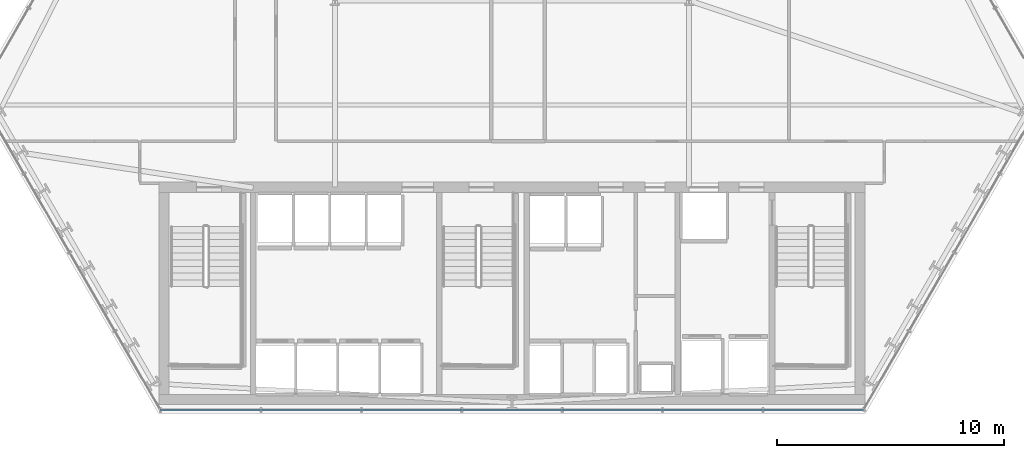
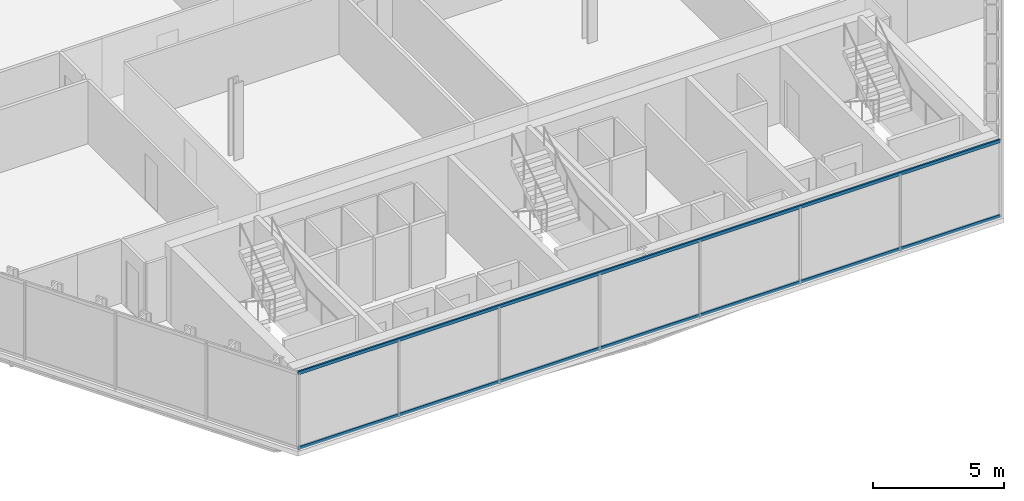
# One storey, part 7 of 32: 2 members, 1 element without a shape of its own.
"""IFC4 building model written with IfcOpenShell, lengths in metres."""

from ifc_helpers import new_model, si_unit, direction, frame, origin, origin_2d, place, context, subcontext, project, spatial, hollow_rectangle, extrude, material, layer, layer_set, material_profile, profile_set, type_object, element, aggregate, save


model = new_model("IFC4")

# Units and contexts
model_context = context("Model", 3, precision=1e-05, world=origin(), true_north=direction((0.0, 1.0)))
body_context = subcontext(model_context, "Body", "Model", "MODEL_VIEW")
ifc_project = project(units=[si_unit("LENGTHUNIT", "METRE"), si_unit("AREAUNIT", "SQUARE_METRE"), si_unit("VOLUMEUNIT", "CUBIC_METRE"), si_unit("PLANEANGLEUNIT", "RADIAN"), si_unit("MASSUNIT", "GRAM", prefix="KILO")], contexts=[model_context])

# Site, building, storey
site_placement = place(None, origin())
site = spatial("IfcSite", under=ifc_project, at=site_placement, CompositionType="ELEMENT")
building_placement = place(site_placement, origin())
building = spatial("IfcBuilding", under=site, at=building_placement, Name="Ndaravel Arena Tower", CompositionType="ELEMENT")
storey_placement = place(building_placement, frame((0.0, 0.0, 51.199951171875)))
storey = spatial("IfcBuildingStorey", under=building, at=storey_placement, Name="L10", CompositionType="ELEMENT", Elevation=51.199951171875)

# Curtain wall, members
ifc_material_1 = material(Name="Aluminium", Category="aluminium")
ifc_layer = layer(ifc_material_1, 0.179931640625)
ifc_layer_set = layer_set([ifc_layer], Name="Aluminium")
curtain_wall_type = type_object("IfcCurtainWallType", Name="CW-SYS-03", PredefinedType="NOTDEFINED", material=ifc_layer_set)
curtain_wall_placement = place(storey_placement, origin())
curtain_wall = element("IfcCurtainWall", 1, at=curtain_wall_placement, inside=storey, type_object=curtain_wall_type, Name="L10 Faceted Crystal Curtain Wall CW-L10-E01", PredefinedType="NOTDEFINED")
ifc_material_2 = material(Name="Aluminium", Category="aluminium")
ifc_material_profile = material_profile(ifc_material_2, hollow_rectangle(XDim=0.074951171875, YDim=0.14990234375, WallThickness=0.00390625, at=origin_2d()), Name="CW TRANSOM 75x150x4")
ifc_profile_set = profile_set([ifc_material_profile], Name="Aluminium")
member_type = type_object("IfcMemberType", Name="MEM-CW-TRN150", PredefinedType="USERDEFINED", material=ifc_profile_set)
member_1_placement = place(storey_placement, frame((26.52001953125, 5.159912109375, 0.0400390625), z_axis=(1.0, 0.0, 0.0), x_axis=(0.0, 1.0, 0.0)))
member_1 = element("IfcMember", 2, at=member_1_placement, type_object=member_type, Name="CW-L10-E01 Transom 01", ObjectType="TRANSOM", PredefinedType="USERDEFINED", context=body_context, shape_type="SweptSolid", body=[
    extrude(hollow_rectangle(XDim=0.074951171875, YDim=0.14990234375, WallThickness=0.00390625, at=origin_2d()), origin(), (0.0, 0.0, 1.0), 30.9599609375),
])
member_2_placement = place(storey_placement, frame((26.52001953125, 5.159912109375, 3.5400390625), z_axis=(1.0, 0.0, 0.0), x_axis=(0.0, 1.0, 0.0)))
member_2 = element("IfcMember", 3, at=member_2_placement, type_object=member_type, Name="CW-L10-E01 Transom 02", ObjectType="TRANSOM", PredefinedType="USERDEFINED", context=body_context, shape_type="SweptSolid", body=[
    extrude(hollow_rectangle(XDim=0.074951171875, YDim=0.14990234375, WallThickness=0.00390625, at=origin_2d()), origin(), (0.0, 0.0, 1.0), 30.9599609375),
])
aggregate(curtain_wall, [member_1, member_2])

save(model, "model.ifc")
